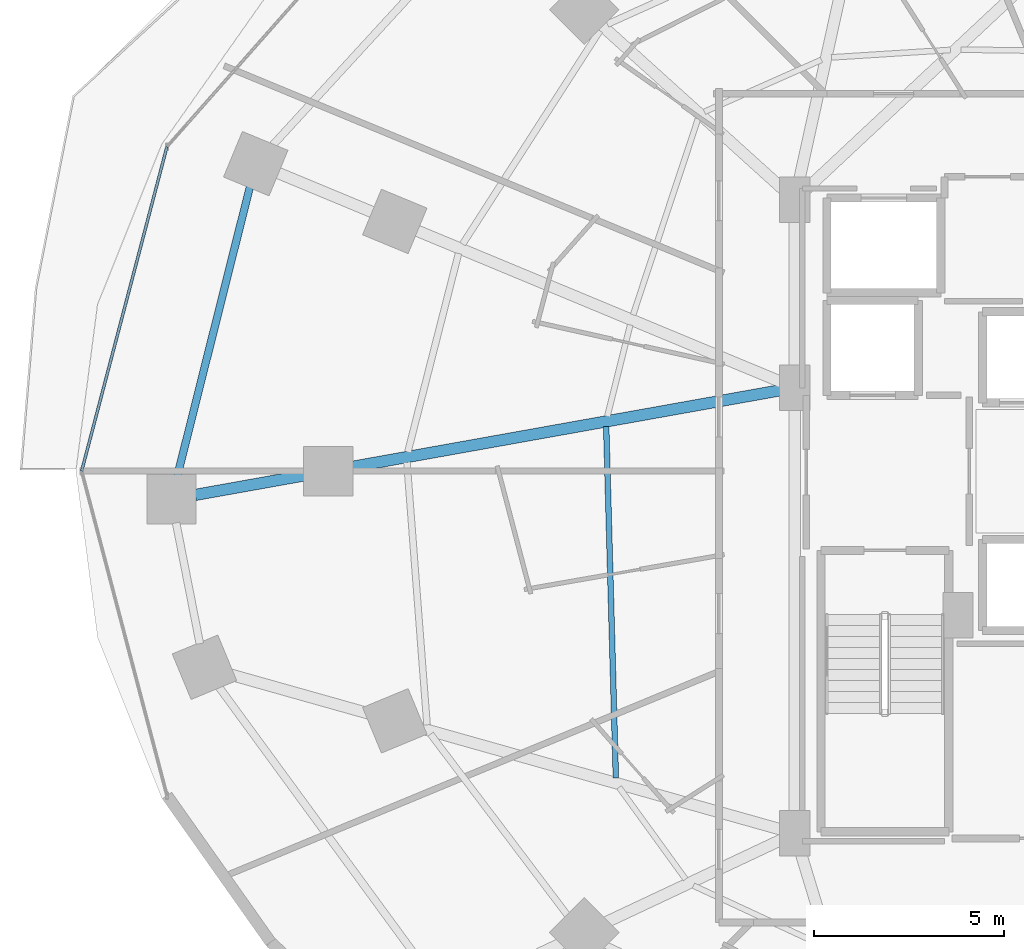
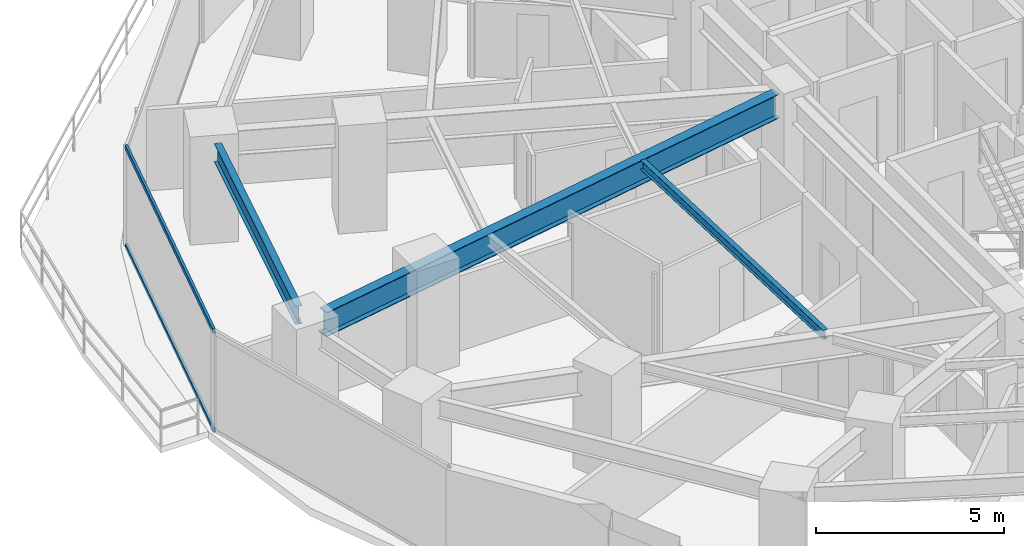
# One storey, part 9 of 36: 3 beams, 2 members, 1 element without a shape of its own.
"""IFC4 building model written with IfcOpenShell, lengths in metres."""

from ifc_helpers import new_model, si_unit, direction, frame, origin, origin_2d, place, context, subcontext, project, spatial, hollow_rectangle, i_section, extrude, material, material_profile, profile_set, type_object, element, aggregate, save


model = new_model("IFC4")

# Units and contexts
model_context = context("Model", 3, precision=1e-05, world=origin(), true_north=direction((0.0, 1.0)))
body_context = subcontext(model_context, "Body", "Model", "MODEL_VIEW")
ifc_project = project(units=[si_unit("LENGTHUNIT", "METRE"), si_unit("AREAUNIT", "SQUARE_METRE"), si_unit("VOLUMEUNIT", "CUBIC_METRE"), si_unit("PLANEANGLEUNIT", "RADIAN"), si_unit("MASSUNIT", "GRAM", prefix="KILO")], contexts=[model_context])

# Site, building, storey
site_placement = place(None, origin())
site = spatial("IfcSite", under=ifc_project, at=site_placement, CompositionType="ELEMENT")
building_placement = place(site_placement, origin())
building = spatial("IfcBuilding", under=site, at=building_placement, Name="Vorneva Point Tower", CompositionType="ELEMENT")
storey_placement = place(building_placement, frame((0.0, 0.0, 24.0)))
storey = spatial("IfcBuildingStorey", under=building, at=storey_placement, Name="L05", CompositionType="ELEMENT", Elevation=24.0)

# Beams
ifc_material_1 = material(Name="Steel S355", Category="steel")
ifc_material_profile_1 = material_profile(ifc_material_1, i_section(OverallWidth=0.300048828125, OverallDepth=0.7880859375, WebThickness=0.014404296875, FlangeThickness=0.02197265625, at=origin_2d()), Name="80Sh1")
ifc_profile_set_1 = profile_set([ifc_material_profile_1], Name="Steel S355")
beam_type_1 = type_object("IfcBeamType", Name="BM-GRD-80Sh1", PredefinedType="USERDEFINED", material=ifc_profile_set_1)
beam_1_placement = place(storey_placement, frame((11.44580078125, 25.373291015625, 2.845947265625), z_axis=(0.984378664832, 0.176064318428, 0.0), x_axis=(-0.176064318428, 0.984378664832, 0.0)))
element("IfcBeam", 1, at=beam_1_placement, inside=storey, type_object=beam_type_1, Name="L05 Radial Primary Girder 09", ObjectType="GIRDER", PredefinedType="USERDEFINED", context=body_context, shape_type="SweptSolid", body=[
    extrude(i_section(OverallWidth=0.300048828125, OverallDepth=0.7880859375, WebThickness=0.014404296875, FlangeThickness=0.02197265625, at=origin_2d()), origin(), (0.0, 0.0, 1.0), 15.715087890625),
])
ifc_material_profile_2 = material_profile(ifc_material_1, i_section(OverallWidth=0.14892578125, OverallDepth=0.298095703125, WebThickness=0.005615234375, FlangeThickness=0.008056640625, at=origin_2d()), Name="30B1")
ifc_profile_set_2 = profile_set([ifc_material_profile_2], Name="Steel S355")
beam_type_2 = type_object("IfcBeamType", Name="BM-JST-30B1", PredefinedType="JOIST", material=ifc_profile_set_2)
beam_2_placement = place(storey_placement, frame((22.2783203125, 27.172119140625, 3.091064453125), z_axis=(0.027469258155, -0.999622648731, 0.0), x_axis=(0.999622648731, 0.027469258155, 0.0)))
element("IfcBeam", 2, at=beam_2_placement, inside=storey, type_object=beam_type_2, Name="L05 Secondary Floor Beam 2.09", PredefinedType="JOIST", context=body_context, shape_type="SweptSolid", body=[
    extrude(i_section(OverallWidth=0.14892578125, OverallDepth=0.298095703125, WebThickness=0.005615234375, FlangeThickness=0.008056640625, at=origin_2d()), origin(), (0.0, 0.0, 1.0), 9.260986328125),
])
ifc_material_profile_3 = material_profile(ifc_material_1, i_section(OverallWidth=0.198974609375, OverallDepth=0.595947265625, WebThickness=0.010009765625, FlangeThickness=0.014892578125, at=origin_2d()), Name="60B1")
ifc_profile_set_3 = profile_set([ifc_material_profile_3], Name="Steel S355")
beam_type_3 = type_object("IfcBeamType", Name="BM-SPN-60B1", PredefinedType="SPANDREL", material=ifc_profile_set_3)
beam_3_placement = place(storey_placement, frame((12.884521484375, 33.489501953125, 2.94189453125), z_axis=(-0.243574722416, -0.969882134385, 0.0), x_axis=(0.969882134385, -0.243574722416, 0.0)))
element("IfcBeam", 3, at=beam_3_placement, inside=storey, type_object=beam_type_3, Name="L05 Perimeter Spandrel Ring Beam 08", PredefinedType="SPANDREL", context=body_context, shape_type="SweptSolid", body=[
    extrude(i_section(OverallWidth=0.198974609375, OverallDepth=0.595947265625, WebThickness=0.010009765625, FlangeThickness=0.014892578125, at=origin_2d()), origin(), (0.0, 0.0, 1.0), 7.84912109375),
])

# Curtain wall, members
ifc_material_2 = material(Name="Pale anodised aluminium", Category="aluminium")
curtain_wall_type = type_object("IfcCurtainWallType", Name="CW-HTL-SYS", PredefinedType="NOTDEFINED", material=ifc_material_2)
curtain_wall_placement = place(storey_placement, origin())
curtain_wall = element("IfcCurtainWall", 4, at=curtain_wall_placement, inside=storey, type_object=curtain_wall_type, Name="L05 Unitised Curtain Wall CW-L05-R03", PredefinedType="NOTDEFINED")
ifc_material_profile_4 = material_profile(ifc_material_2, hollow_rectangle(XDim=0.074951171875, YDim=0.14990234375, WallThickness=0.00390625, at=origin_2d()), Name="AL-TRN 150x75x4")
ifc_profile_set_4 = profile_set([ifc_material_profile_4], Name="Pale anodised aluminium")
member_type = type_object("IfcMemberType", Name="CW-TRN-150", PredefinedType="USERDEFINED", material=ifc_profile_set_4)
member_1_placement = place(storey_placement, frame((10.699462890625, 34.552978515625, 0.02001953125), z_axis=(-0.254358772746, -0.967109928978, 0.0), x_axis=(0.967109928978, -0.254358772746, 0.0)))
member_1 = element("IfcMember", 5, at=member_1_placement, type_object=member_type, Name="CW-L05-R03 Transom 02.1", ObjectType="TRANSOM", PredefinedType="USERDEFINED", context=body_context, shape_type="SweptSolid", body=[
    extrude(hollow_rectangle(XDim=0.074951171875, YDim=0.14990234375, WallThickness=0.00390625, at=origin_2d()), origin(), (0.0, 0.0, 1.0), 8.84375),
])
member_2_placement = place(storey_placement, frame((10.699462890625, 34.552978515625, 3.219970703125), z_axis=(-0.254358772746, -0.967109928978, 0.0), x_axis=(0.967109928978, -0.254358772746, 0.0)))
member_2 = element("IfcMember", 6, at=member_2_placement, type_object=member_type, Name="CW-L05-R03 Transom 02.2", ObjectType="TRANSOM", PredefinedType="USERDEFINED", context=body_context, shape_type="SweptSolid", body=[
    extrude(hollow_rectangle(XDim=0.074951171875, YDim=0.14990234375, WallThickness=0.00390625, at=origin_2d()), origin(), (0.0, 0.0, 1.0), 8.84375),
])
aggregate(curtain_wall, [member_1, member_2])

save(model, "model.ifc")
